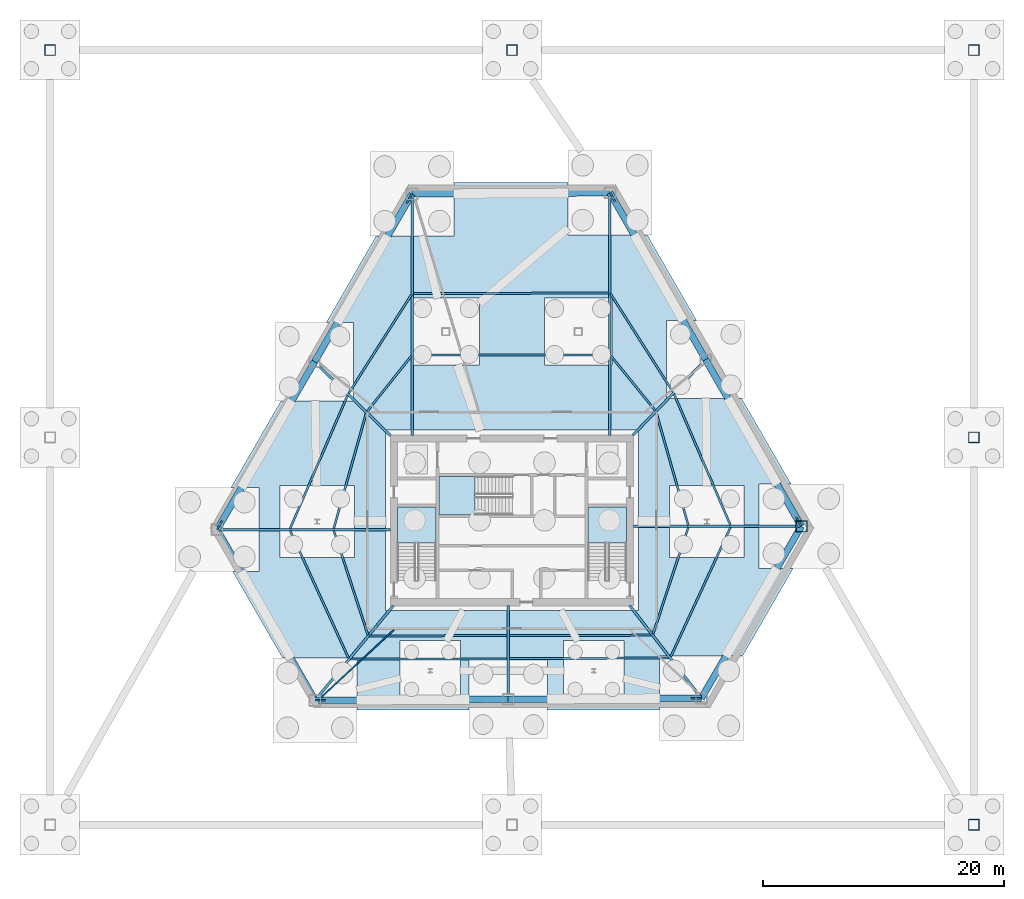
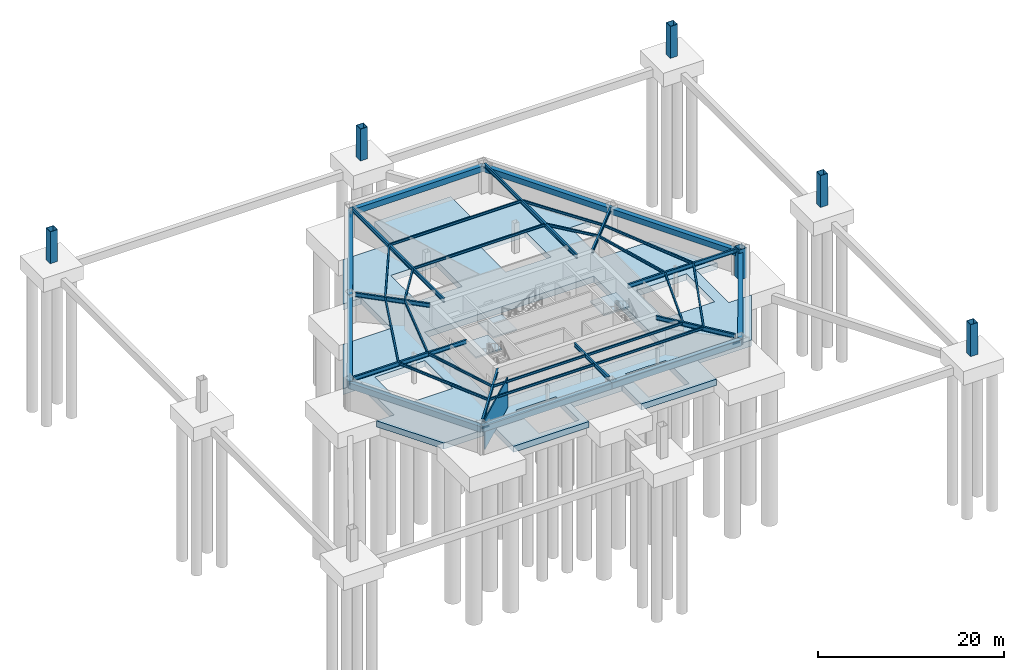
# One storey, part 7 of 11: 42 beams, 6 columns, 4 slabs, 1 wall, 3 elements without a shape of their own.
"""IFC4 building model written with IfcOpenShell, lengths in metres."""

import ifcopenshell
import ifcopenshell.guid

model = None  # the IFC model being written
_history = None  # IfcOwnerHistory: only IFC2X3 demands one
_inside = {}  # id of a spatial element -> (the spatial element, [elements in it])
_under = {}  # id of a project, library or spatial element -> (it, [spatial elements below it])
_declared = {}  # id of a project -> (the project, [libraries it declares])
_typed = {}  # id of a type object -> (the type object, [elements of that type])
_made_of = {}  # id of a material, layer set ... -> (it, [elements and type objects made of it])


def new_model(schema):
    """Start an empty IFC model of exactly this schema.

    Asked for "IFC4X3", IfcOpenShell would pick the latest addendum, in which some entities
    have other attributes; the version numbers below select the first issue.
    IFC2X3 requires an IfcOwnerHistory on every rooted entity: one is made here for all.
    """
    global model, _history
    if schema == "IFC4X3":
        model = ifcopenshell.file(schema_version=(4, 3, 0, 0))
    else:
        model = ifcopenshell.file(schema=schema)
    _inside.clear()
    _under.clear()
    _declared.clear()
    _typed.clear()
    _made_of.clear()
    _history = None
    if model.schema == "IFC2X3":
        org = make("IfcOrganization", Name="unknown")
        user = make(
            "IfcPersonAndOrganization",
            ThePerson=make("IfcPerson", FamilyName="unknown"),
            TheOrganization=org,
        )
        app = make(
            "IfcApplication",
            ApplicationDeveloper=org,
            Version="unknown",
            ApplicationFullName="unknown",
            ApplicationIdentifier="unknown",
        )
        _history = make(
            "IfcOwnerHistory",
            OwningUser=user,
            OwningApplication=app,
            ChangeAction="ADDED",
            CreationDate=0,
        )
    return model


def make(cls, **values):
    """One entity of the class cls with the attributes given. An attribute that is None is left unset."""
    return model.create_entity(
        cls, **{name: value for name, value in values.items() if value is not None}
    )


def rooted(cls, **values):
    """An entity with a GlobalId (a new one), such as an element, a storey or a relation."""
    return make(cls, GlobalId=ifcopenshell.guid.new(), OwnerHistory=_history, **values)


def si_unit(unit_type, name, prefix=None):
    """IfcSIUnit, for example si_unit("LENGTHUNIT", "METRE", prefix="MILLI")."""
    return make("IfcSIUnit", UnitType=unit_type, Prefix=prefix, Name=name)


def assignment(units):
    """IfcUnitAssignment: the units of a project."""
    return None if units is None else make("IfcUnitAssignment", Units=units)


def point(xyz):
    """IfcCartesianPoint."""
    return None if xyz is None else make("IfcCartesianPoint", Coordinates=xyz)


def direction(xyz):
    """IfcDirection."""
    return None if xyz is None else make("IfcDirection", DirectionRatios=xyz)


def frame(location, z_axis=None, x_axis=None):
    """IfcAxis2Placement3D, a coordinate frame: its origin and axes. An axis left out is left unset."""
    return make(
        "IfcAxis2Placement3D",
        Location=point(location),
        Axis=direction(z_axis),
        RefDirection=direction(x_axis),
    )


def frame_2d(location, x_axis=None):
    """IfcAxis2Placement2D, a coordinate frame in the plane: its origin and x axis."""
    return make(
        "IfcAxis2Placement2D", Location=point(location), RefDirection=direction(x_axis)
    )


def origin():
    """The frame at (0, 0, 0) with its axes left unset."""
    return frame((0.0, 0.0, 0.0))


def origin_2d():
    """The frame at (0, 0) in the plane with its x axis left unset."""
    return frame_2d((0.0, 0.0))


def place(relative_to, where):
    """IfcLocalPlacement: puts the frame where relative to a parent placement (None: the world)."""
    return make(
        "IfcLocalPlacement", PlacementRelTo=relative_to, RelativePlacement=where
    )


def context(
    kind, dimensions, precision=None, world=None, true_north=None, identifier=None
):
    """IfcGeometricRepresentationContext, for example the 3D "Model" context."""
    return make(
        "IfcGeometricRepresentationContext",
        ContextIdentifier=identifier,
        ContextType=kind,
        CoordinateSpaceDimension=dimensions,
        Precision=precision,
        WorldCoordinateSystem=world,
        TrueNorth=true_north,
    )


def subcontext(parent, identifier, kind, view, scale=None):
    """IfcGeometricRepresentationSubContext, for example "Body" below "Model"."""
    return make(
        "IfcGeometricRepresentationSubContext",
        ContextIdentifier=identifier,
        ContextType=kind,
        ParentContext=parent,
        TargetScale=scale,
        TargetView=view,
    )


def project(units=None, contexts=None):
    """IfcProject with its units and contexts."""
    return rooted(
        "IfcProject",
        Name="project",
        RepresentationContexts=contexts,
        UnitsInContext=assignment(units),
    )


def spatial(cls, under=None, at=None, **own):
    """A site, building, storey or space (cls), placed at a placement, below another one or the project."""
    s = rooted(cls, ObjectPlacement=at, **own)
    if under is not None:
        _under.setdefault(under.id(), (under, []))[1].append(s)
    return s


def polyline(points):
    """IfcPolyline through the points."""
    return make("IfcPolyline", Points=[point(p) for p in points])


def profile(cls, at=None, kind="AREA", **sizes):
    """A parametric profile (cls). Its sizes go by their IFC names, for example OverallWidth=200.0."""
    return make(cls, ProfileType=kind, Position=at, **sizes)


def rectangle(**sizes):
    """IfcRectangleProfileDef."""
    return profile("IfcRectangleProfileDef", **sizes)


def hollow_rectangle(**sizes):
    """IfcRectangleHollowProfileDef."""
    return profile("IfcRectangleHollowProfileDef", **sizes)


def i_section(**sizes):
    """IfcIShapeProfileDef."""
    return profile("IfcIShapeProfileDef", **sizes)


def outline(outer, holes=None, kind="AREA"):
    """IfcArbitraryClosedProfileDef: a profile drawn as a closed curve; with holes, ...WithVoids."""
    if holes is None:
        return make("IfcArbitraryClosedProfileDef", ProfileType=kind, OuterCurve=outer)
    return make(
        "IfcArbitraryProfileDefWithVoids",
        ProfileType=kind,
        OuterCurve=outer,
        InnerCurves=holes,
    )


def extrude(swept, where, along, depth):
    """IfcExtrudedAreaSolid: the profile swept, set in the frame where, extruded along a direction by depth."""
    return make(
        "IfcExtrudedAreaSolid",
        SweptArea=swept,
        Position=where,
        ExtrudedDirection=direction(along),
        Depth=depth,
    )


def shape(context_of_items, identifier, shape_type, items):
    """IfcShapeRepresentation: the items that make up one representation, for example the "Body"."""
    return make(
        "IfcShapeRepresentation",
        ContextOfItems=context_of_items,
        RepresentationIdentifier=identifier,
        RepresentationType=shape_type,
        Items=items,
    )


def material(Name=None, Category=None):
    """IfcMaterial."""
    return make("IfcMaterial", Name=Name, Category=Category)


def layer(
    of_material, thickness, ventilated=None, Name=None, Category=None, Priority=None
):
    """IfcMaterialLayer: one layer of a wall or slab, of a material (None: an air gap)."""
    return make(
        "IfcMaterialLayer",
        Material=of_material,
        LayerThickness=thickness,
        IsVentilated=ventilated,
        Name=Name,
        Category=Category,
        Priority=Priority,
    )


def layer_set(layers, Name=None):
    """IfcMaterialLayerSet."""
    return make("IfcMaterialLayerSet", MaterialLayers=layers, LayerSetName=Name)


def material_profile(
    of_material, cross_section, Name=None, Category=None, Priority=None
):
    """IfcMaterialProfile: a cross section and its material."""
    return make(
        "IfcMaterialProfile",
        Name=Name,
        Material=of_material,
        Profile=cross_section,
        Priority=Priority,
        Category=Category,
    )


def profile_set(profiles, Name=None, composite=None):
    """IfcMaterialProfileSet."""
    return make(
        "IfcMaterialProfileSet",
        Name=Name,
        MaterialProfiles=profiles,
        CompositeProfile=composite,
    )


def made_of(thing, what):
    """Note that an element or type object is made of a material, layer set ...; save() writes the relation."""
    if what is not None:
        _made_of.setdefault(what.id(), (what, []))[1].append(thing)
    return thing


def type_object(cls, material=None, **own):
    """A type object (cls), such as IfcWallType, which elements share."""
    return made_of(rooted(cls, **own), material)


def element(
    cls,
    number,
    at=None,
    inside=None,
    cuts=None,
    type_object=None,
    material=None,
    context=None,
    identifier="Body",
    shape_type=None,
    held_by="IfcProductDefinitionShape",
    body=None,
    shapes=None,
    **own,
):
    """One element of the class cls, such as IfcWall. Its Tag is "e" and its number.

    at: its placement. inside: the storey or other place that contains it. cuts: it is an
    opening in that element (IfcRelVoidsElement). A single representation is given by context,
    identifier, shape_type and body (its items); several are given by shapes. held_by: the class
    of the entity that holds the representations. save() writes the other relations.
    """
    e = rooted(cls, Tag="e%d" % number, ObjectPlacement=at, **own)
    if body is not None:
        shapes = [shape(context, identifier, shape_type, body)]
    if shapes is not None:
        e.Representation = make(held_by, Representations=shapes)
    if inside is not None:
        _inside.setdefault(inside.id(), (inside, []))[1].append(e)
    if cuts is not None:
        rooted(
            "IfcRelVoidsElement", RelatingBuildingElement=cuts, RelatedOpeningElement=e
        )
    if type_object is not None:
        _typed.setdefault(type_object.id(), (type_object, []))[1].append(e)
    return made_of(e, material)


def aggregate(whole, parts):
    """IfcRelAggregates: a whole, such as a stair, and the parts it consists of."""
    return rooted("IfcRelAggregates", RelatingObject=whole, RelatedObjects=parts)


def save(model, path):
    """Write the relations noted so far, then the file.

    IfcRelAggregates (storeys below a building ...), IfcRelContainedInSpatialStructure (elements
    in a storey), IfcRelDefinesByType, IfcRelAssociatesMaterial and IfcRelDeclares: one each for
    every whole, place, type object, material and project.
    """
    for whole, parts in _under.values():
        aggregate(whole, parts)
    for where, things in _inside.values():
        rooted(
            "IfcRelContainedInSpatialStructure",
            RelatedElements=things,
            RelatingStructure=where,
        )
    for kind, things in _typed.values():
        rooted("IfcRelDefinesByType", RelatedObjects=things, RelatingType=kind)
    for what, things in _made_of.values():
        rooted("IfcRelAssociatesMaterial", RelatedObjects=things, RelatingMaterial=what)
    for by, libraries in _declared.values():
        rooted("IfcRelDeclares", RelatingContext=by, RelatedDefinitions=libraries)
    model.write(path)


model = new_model("IFC4")

# Units and contexts
model_context = context("Model", 3, precision=1e-05, world=origin(), true_north=direction((0.0, 1.0)))
body_context = subcontext(model_context, "Body", "Model", "MODEL_VIEW")
ifc_project = project(units=[si_unit("LENGTHUNIT", "METRE"), si_unit("AREAUNIT", "SQUARE_METRE"), si_unit("VOLUMEUNIT", "CUBIC_METRE"), si_unit("PLANEANGLEUNIT", "RADIAN"), si_unit("MASSUNIT", "GRAM", prefix="KILO")], contexts=[model_context])

# Site, building, storey
site_placement = place(None, origin())
site = spatial("IfcSite", under=ifc_project, at=site_placement, CompositionType="ELEMENT")
building_placement = place(site_placement, origin())
building = spatial("IfcBuilding", under=site, at=building_placement, Name="Kavelnor Concourse Tower", CompositionType="ELEMENT")
storey_placement = place(building_placement, frame((0.0, 0.0, -8.39990234375)))
storey = spatial("IfcBuildingStorey", under=building, at=storey_placement, Name="B02", CompositionType="ELEMENT", Elevation=-8.39990234375)

# Columns
ifc_material_1 = material(Name="Steel Grade 350", Category="steel")
ifc_material_profile_1 = material_profile(ifc_material_1, hollow_rectangle(XDim=0.89990234375, YDim=0.89990234375, WallThickness=0.0380859375, at=origin_2d()), Name="SHS 900x900x38")
ifc_profile_set_1 = profile_set([ifc_material_profile_1], Name="Steel Grade 350")
column_type_1 = type_object("IfcColumnType", Name="COL-MEGA-900", PredefinedType="COLUMN", material=ifc_profile_set_1)
for number, where, z_axis, x_axis, name in (
    (1, (76.39990234375, -9.199951171875, 0.0), (0.0, 0.0, 1.0), (1.0, 0.0, 0.0), "B02 Plaza Support Column PLZ-SE"),
    (2, (76.39990234375, 23.0, 0.0), (0.0, 0.0, 1.0), (1.0, 0.0, 0.0), "B02 Plaza Support Column PLZ-E"),
    (3, (76.39990234375, 55.199951171875, 0.0), (0.0, 0.0, 1.0), (1.0, 0.0, 0.0), "B02 Plaza Support Column PLZ-NE"),
    (4, (38.0, 55.199951171875, 0.0), (0.0, 0.0, 1.0), (1.0, 0.0, 0.0), "B02 Plaza Support Column PLZ-N"),
    (5, (-0.39990234375, 55.199951171875, 0.0), (0.0, 0.0, 1.0), (1.0, 0.0, 0.0), "B02 Plaza Support Column PLZ-NW"),
):
    element("IfcColumn", number, at=place(storey_placement, frame(where, z_axis=z_axis, x_axis=x_axis)), inside=storey, type_object=column_type_1, Name=name, PredefinedType="COLUMN", context=body_context, shape_type="SweptSolid", body=[
        extrude(hollow_rectangle(XDim=0.89990234375, YDim=0.89990234375, WallThickness=0.0380859375, at=origin_2d()), origin(), (0.0, 0.0, 1.0), 4.179931640625),
    ])
ifc_material_profile_2 = material_profile(ifc_material_1, hollow_rectangle(XDim=0.949951171875, YDim=0.949951171875, WallThickness=0.0400390625, at=origin_2d()), Name="SHS 950x950x40")
ifc_profile_set_2 = profile_set([ifc_material_profile_2], Name="Steel Grade 350")
column_type_2 = type_object("IfcColumnType", Name="COL-MEGA-950", PredefinedType="COLUMN", material=ifc_profile_set_2)
column_placement = place(storey_placement, frame((62.05078125, 15.61328125, 0.0), z_axis=(0.0, 0.0, 1.0), x_axis=(1.0, 0.0, 0.0)))
element("IfcColumn", 6, at=column_placement, inside=storey, type_object=column_type_2, Name="B02 Perimeter Mega Column MC-V5", PredefinedType="COLUMN", context=body_context, shape_type="SweptSolid", body=[
    extrude(hollow_rectangle(XDim=0.949951171875, YDim=0.949951171875, WallThickness=0.0400390625, at=origin_2d()), origin(), (0.0, 0.0, 1.0), 3.949951171875),
])

# Beams
ifc_material_profile_3 = material_profile(ifc_material_1, i_section(OverallWidth=0.166015625, OverallDepth=0.306884765625, WebThickness=0.006591796875, FlangeThickness=0.01171875, at=origin_2d()), Name="310UB46")
ifc_profile_set_3 = profile_set([ifc_material_profile_3], Name="Steel Grade 350")
beam_type_1 = type_object("IfcBeamType", Name="BM-JOIST-310", PredefinedType="JOIST", material=ifc_profile_set_3)
beam_1_placement = place(storey_placement, frame((23.188720703125, 15.24609375, 3.79638671875), z_axis=(0.311389535049, -0.950282356703, 0.0), x_axis=(0.950282356703, 0.311389535049, 0.0)))
element("IfcBeam", 7, at=beam_1_placement, inside=storey, type_object=beam_type_1, Name="B02 Composite Floor Joist 01-1", PredefinedType="JOIST", context=body_context, shape_type="SweptSolid", body=[
    extrude(i_section(OverallWidth=0.166015625, OverallDepth=0.306884765625, WebThickness=0.006591796875, FlangeThickness=0.01171875, at=origin_2d()), origin(), (0.0, 0.0, 1.0), 9.105712890625),
])
beam_2_placement = place(storey_placement, frame((19.5576171875, 15.250244140625, 3.79638671875), z_axis=(0.416568886503, -0.909104153988, 0.0), x_axis=(0.909104153988, 0.416568886503, 0.0)))
element("IfcBeam", 8, at=beam_2_placement, inside=storey, type_object=beam_type_1, Name="B02 Composite Floor Joist 01-2", PredefinedType="JOIST", context=body_context, shape_type="SweptSolid", body=[
    extrude(i_section(OverallWidth=0.166015625, OverallDepth=0.306884765625, WebThickness=0.006591796875, FlangeThickness=0.01171875, at=origin_2d()), origin(), (0.0, 0.0, 1.0), 11.656494140625),
])
beam_3_placement = place(storey_placement, frame((26.15283203125, 6.5, 3.79638671875), z_axis=(0.999997855186, 0.002071140453, 0.0), x_axis=(-0.002071140453, 0.999997855186, 0.0)))
element("IfcBeam", 9, at=beam_3_placement, inside=storey, type_object=beam_type_1, Name="B02 Composite Floor Joist 02-1", PredefinedType="JOIST", context=body_context, shape_type="SweptSolid", body=[
    extrude(i_section(OverallWidth=0.166015625, OverallDepth=0.306884765625, WebThickness=0.006591796875, FlangeThickness=0.01171875, at=origin_2d()), origin(), (0.0, 0.0, 1.0), 11.43408203125),
])
beam_4_placement = place(storey_placement, frame((24.55224609375, 4.564453125, 3.79638671875), z_axis=(0.999996362753, 0.002697124485, 0.0), x_axis=(-0.002697124485, 0.999996362753, 0.0)))
element("IfcBeam", 10, at=beam_4_placement, inside=storey, type_object=beam_type_1, Name="B02 Composite Floor Joist 02-2", PredefinedType="JOIST", context=body_context, shape_type="SweptSolid", body=[
    extrude(i_section(OverallWidth=0.166015625, OverallDepth=0.306884765625, WebThickness=0.006591796875, FlangeThickness=0.01171875, at=origin_2d()), origin(), (0.0, 0.0, 1.0), 13.03466796875),
])
beam_5_placement = place(storey_placement, frame((37.782958984375, 6.5244140625, 3.79638671875), z_axis=(0.999995630485, 0.002956181654, 0.0), x_axis=(-0.002956181654, 0.999995630485, 0.0)))
element("IfcBeam", 11, at=beam_5_placement, inside=storey, type_object=beam_type_1, Name="B02 Composite Floor Joist 03-1", PredefinedType="JOIST", context=body_context, shape_type="SweptSolid", body=[
    extrude(i_section(OverallWidth=0.166015625, OverallDepth=0.306884765625, WebThickness=0.006591796875, FlangeThickness=0.01171875, at=origin_2d()), origin(), (0.0, 0.0, 1.0), 11.809814453125),
])
beam_6_placement = place(storey_placement, frame((37.782958984375, 4.6005859375, 3.79638671875), z_axis=(0.999986830206, 0.005132193915, 0.0), x_axis=(-0.005132193915, 0.999986830206, 0.0)))
element("IfcBeam", 12, at=beam_6_placement, inside=storey, type_object=beam_type_1, Name="B02 Composite Floor Joist 03-2", PredefinedType="JOIST", context=body_context, shape_type="SweptSolid", body=[
    extrude(i_section(OverallWidth=0.166015625, OverallDepth=0.306884765625, WebThickness=0.006591796875, FlangeThickness=0.01171875, at=origin_2d()), origin(), (0.0, 0.0, 1.0), 13.272216796875),
])
beam_7_placement = place(storey_placement, frame((49.721435546875, 6.652587890625, 3.79638671875), z_axis=(0.313756274904, 0.949503554474, 0.0), x_axis=(-0.949503554474, 0.313756274904, 0.0)))
element("IfcBeam", 13, at=beam_7_placement, inside=storey, type_object=beam_type_1, Name="B02 Composite Floor Joist 04-1", PredefinedType="JOIST", context=body_context, shape_type="SweptSolid", body=[
    extrude(i_section(OverallWidth=0.166015625, OverallDepth=0.306884765625, WebThickness=0.006591796875, FlangeThickness=0.01171875, at=origin_2d()), origin(), (0.0, 0.0, 1.0), 9.339111328125),
])
beam_8_placement = place(storey_placement, frame((51.194091796875, 4.75830078125, 3.79638671875), z_axis=(0.418880576802, 0.908041332968, 0.0), x_axis=(-0.908041332968, 0.418880576802, 0.0)))
element("IfcBeam", 14, at=beam_8_placement, inside=storey, type_object=beam_type_1, Name="B02 Composite Floor Joist 04-2", PredefinedType="JOIST", context=body_context, shape_type="SweptSolid", body=[
    extrude(i_section(OverallWidth=0.166015625, OverallDepth=0.306884765625, WebThickness=0.006591796875, FlangeThickness=0.01171875, at=origin_2d()), origin(), (0.0, 0.0, 1.0), 11.856201171875),
])
beam_9_placement = place(storey_placement, frame((52.655517578125, 15.70751953125, 3.79638671875), z_axis=(-0.273853851398, 0.961771317972, 0.0), x_axis=(-0.961771317972, -0.273853851398, 0.0)))
element("IfcBeam", 15, at=beam_9_placement, inside=storey, type_object=beam_type_1, Name="B02 Composite Floor Joist 05-1", PredefinedType="JOIST", context=body_context, shape_type="SweptSolid", body=[
    extrude(i_section(OverallWidth=0.166015625, OverallDepth=0.306884765625, WebThickness=0.006591796875, FlangeThickness=0.01171875, at=origin_2d()), origin(), (0.0, 0.0, 1.0), 9.7421875),
])
beam_10_placement = place(storey_placement, frame((56.162841796875, 15.703125, 3.79638671875), z_axis=(-0.39521166435, 0.918590082878, 0.0), x_axis=(-0.918590082878, -0.39521166435, 0.0)))
element("IfcBeam", 16, at=beam_10_placement, inside=storey, type_object=beam_type_1, Name="B02 Composite Floor Joist 05-2", PredefinedType="JOIST", context=body_context, shape_type="SweptSolid", body=[
    extrude(i_section(OverallWidth=0.166015625, OverallDepth=0.306884765625, WebThickness=0.006591796875, FlangeThickness=0.01171875, at=origin_2d()), origin(), (0.0, 0.0, 1.0), 11.875),
])
beam_11_placement = place(storey_placement, frame((49.89892578125, 25.247802734375, 3.79638671875), z_axis=(-0.630228598423, 0.776409630112, 0.0), x_axis=(-0.776409630112, -0.630228598423, 0.0)))
element("IfcBeam", 17, at=beam_11_placement, inside=storey, type_object=beam_type_1, Name="B02 Composite Floor Joist 06-1", PredefinedType="JOIST", context=body_context, shape_type="SweptSolid", body=[
    extrude(i_section(OverallWidth=0.166015625, OverallDepth=0.306884765625, WebThickness=0.006591796875, FlangeThickness=0.01171875, at=origin_2d()), origin(), (0.0, 0.0, 1.0), 5.85888671875),
])
beam_12_placement = place(storey_placement, frame((51.37841796875, 26.783935546875, 3.79638671875), z_axis=(-0.53695899009, 0.843608346901, 0.0), x_axis=(-0.843608346901, -0.53695899009, 0.0)))
element("IfcBeam", 18, at=beam_12_placement, inside=storey, type_object=beam_type_1, Name="B02 Composite Floor Joist 06-2", PredefinedType="JOIST", context=body_context, shape_type="SweptSolid", body=[
    extrude(i_section(OverallWidth=0.166015625, OverallDepth=0.306884765625, WebThickness=0.006591796875, FlangeThickness=0.01171875, at=origin_2d()), origin(), (0.0, 0.0, 1.0), 9.648681640625),
])
for number, where, z_axis, x_axis, name in (
    (19, (46.046875, 29.87255859375, 3.79638671875), (-0.999998293455, -0.001847453965, 0.0), (0.001847453965, -0.999998293455, 0.0), "B02 Composite Floor Joist 07-1"),
    (20, (46.046875, 35.005859375, 3.79638671875), (-0.999994639343, -0.003274337339, 0.0), (0.003274337339, -0.999994639343, 0.0), "B02 Composite Floor Joist 07-2"),
):
    element("IfcBeam", number, at=place(storey_placement, frame(where, z_axis=z_axis, x_axis=x_axis)), inside=storey, type_object=beam_type_1, Name=name, PredefinedType="JOIST", context=body_context, shape_type="SweptSolid", body=[
        extrude(i_section(OverallWidth=0.166015625, OverallDepth=0.306884765625, WebThickness=0.006591796875, FlangeThickness=0.01171875, at=origin_2d()), origin(), (0.0, 0.0, 1.0), 16.25439453125),
    ])
beam_13_placement = place(storey_placement, frame((29.633544921875, 29.765625, 3.79638671875), z_axis=(-0.623717898065, -0.781649527367, 0.0), x_axis=(0.781649527367, -0.623717898065, 0.0)))
element("IfcBeam", 21, at=beam_13_placement, inside=storey, type_object=beam_type_1, Name="B02 Composite Floor Joist 08-1", PredefinedType="JOIST", context=body_context, shape_type="SweptSolid", body=[
    extrude(i_section(OverallWidth=0.166015625, OverallDepth=0.306884765625, WebThickness=0.006591796875, FlangeThickness=0.01171875, at=origin_2d()), origin(), (0.0, 0.0, 1.0), 5.883544921875),
])
beam_14_placement = place(storey_placement, frame((29.64208984375, 34.86962890625, 3.79638671875), z_axis=(-0.536966474052, -0.843603583293, 0.0), x_axis=(0.843603583293, -0.536966474052, 0.0)))
element("IfcBeam", 22, at=beam_14_placement, inside=storey, type_object=beam_type_1, Name="B02 Composite Floor Joist 08-2", PredefinedType="JOIST", context=body_context, shape_type="SweptSolid", body=[
    extrude(i_section(OverallWidth=0.166015625, OverallDepth=0.306884765625, WebThickness=0.006591796875, FlangeThickness=0.01171875, at=origin_2d()), origin(), (0.0, 0.0, 1.0), 9.72314453125),
])
beam_15_placement = place(storey_placement, frame((25.876220703125, 24.995849609375, 3.79638671875), z_axis=(-0.270934178877, -0.962597875915, 0.0), x_axis=(0.962597875915, -0.270934178877, 0.0)))
element("IfcBeam", 23, at=beam_15_placement, inside=storey, type_object=beam_type_1, Name="B02 Composite Floor Joist 09-1", PredefinedType="JOIST", context=body_context, shape_type="SweptSolid", body=[
    extrude(i_section(OverallWidth=0.166015625, OverallDepth=0.306884765625, WebThickness=0.006591796875, FlangeThickness=0.01171875, at=origin_2d()), origin(), (0.0, 0.0, 1.0), 9.933837890625),
])
beam_16_placement = place(storey_placement, frame((24.329833984375, 26.494384765625, 3.79638671875), z_axis=(-0.396157757057, -0.91818246091, 0.0), x_axis=(0.91818246091, -0.396157757057, 0.0)))
element("IfcBeam", 24, at=beam_16_placement, inside=storey, type_object=beam_type_1, Name="B02 Composite Floor Joist 09-2", PredefinedType="JOIST", context=body_context, shape_type="SweptSolid", body=[
    extrude(i_section(OverallWidth=0.166015625, OverallDepth=0.306884765625, WebThickness=0.006591796875, FlangeThickness=0.01171875, at=origin_2d()), origin(), (0.0, 0.0, 1.0), 12.05126953125),
])
ifc_material_profile_4 = material_profile(ifc_material_1, i_section(OverallWidth=0.134033203125, OverallDepth=0.20703125, WebThickness=0.00634765625, FlangeThickness=0.009521484375, at=origin_2d()), Name="200UB29")
ifc_profile_set_4 = profile_set([ifc_material_profile_4], Name="Steel Grade 350")
beam_type_2 = type_object("IfcBeamType", Name="BM-LINTEL-200", PredefinedType="LINTEL", material=ifc_profile_set_4)
for number, where, z_axis, x_axis, name in (
    (25, (29.694580078125, 43.248779296875, 3.119873046875), (-0.502464100164, -0.864598073122, 0.0), (0.864598073122, -0.502464100164, 0.0), "B02 Pier Stiffener Header Lintel F0-A"),
    (26, (13.479736328125, 15.33935546875, 3.119873046875), (0.502464100164, 0.864598073122, 0.0), (-0.864598073122, 0.502464100164, 0.0), "B02 Pier Stiffener Header Lintel F0-B"),
    (27, (21.62451171875, 1.142333984375, 3.119873046875), (0.99998401611, 0.005653983129, 0.0), (-0.005653983129, 0.99998401611, 0.0), "B02 Pier Stiffener Header Lintel F1-A"),
):
    element("IfcBeam", number, at=place(storey_placement, frame(where, z_axis=z_axis, x_axis=x_axis)), inside=storey, type_object=beam_type_2, Name=name, PredefinedType="LINTEL", context=body_context, shape_type="SweptSolid", body=[
        extrude(i_section(OverallWidth=0.134033203125, OverallDepth=0.20703125, WebThickness=0.00634765625, FlangeThickness=0.009521484375, at=origin_2d()), origin(), (0.0, 0.0, 1.0), 0.949951171875),
    ])
beam_17_placement = place(storey_placement, frame((53.74560546875, 1.317626953125, 3.119873046875), z_axis=(-0.999985443618, -0.005395604912, 0.0), x_axis=(0.005395604912, -0.999985443618, 0.0)))
element("IfcBeam", 28, at=beam_17_placement, inside=storey, type_object=beam_type_2, Name="B02 Pier Stiffener Header Lintel F1-B", PredefinedType="LINTEL", context=body_context, shape_type="SweptSolid", body=[
    extrude(i_section(OverallWidth=0.134033203125, OverallDepth=0.20703125, WebThickness=0.00634765625, FlangeThickness=0.009521484375, at=origin_2d()), origin(), (0.0, 0.0, 1.0), 0.9501953125),
])
for number, where, z_axis, x_axis, name in (
    (29, (62.05078125, 15.61328125, 3.119873046875), (-0.49757753053, 0.867419506993, 0.0), (-0.867419506993, -0.49757753053, 0.0), "B02 Pier Stiffener Header Lintel F2-A"),
    (30, (46.144775390625, 43.338623046875, 3.119873046875), (0.49757753053, -0.867419506993, 0.0), (0.867419506993, 0.49757753053, 0.0), "B02 Pier Stiffener Header Lintel F2-B"),
):
    element("IfcBeam", number, at=place(storey_placement, frame(where, z_axis=z_axis, x_axis=x_axis)), inside=storey, type_object=beam_type_2, Name=name, PredefinedType="LINTEL", context=body_context, shape_type="SweptSolid", body=[
        extrude(i_section(OverallWidth=0.134033203125, OverallDepth=0.20703125, WebThickness=0.00634765625, FlangeThickness=0.009521484375, at=origin_2d()), origin(), (0.0, 0.0, 1.0), 0.949951171875),
    ])
ifc_material_profile_5 = material_profile(ifc_material_1, i_section(OverallWidth=0.208984375, OverallDepth=0.528076171875, WebThickness=0.009521484375, FlangeThickness=0.01318359375, at=origin_2d()), Name="530UB82")
ifc_profile_set_5 = profile_set([ifc_material_profile_5], Name="Steel Grade 350")
beam_type_3 = type_object("IfcBeamType", Name="BM-PRIMARY-530", PredefinedType="BEAM", material=ifc_profile_set_5)
beam_18_placement = place(storey_placement, frame((46.144775390625, 23.159912109375, 3.685791015625), z_axis=(0.0, 1.0, 0.0), x_axis=(-1.0, 0.0, 0.0)))
element("IfcBeam", 31, at=beam_18_placement, inside=storey, type_object=beam_type_3, Name="B02 Primary Floor Girder MC-V0", PredefinedType="BEAM", context=body_context, shape_type="SweptSolid", body=[
    extrude(i_section(OverallWidth=0.208984375, OverallDepth=0.528076171875, WebThickness=0.009521484375, FlangeThickness=0.01318359375, at=origin_2d()), origin(), (0.0, 0.0, 1.0), 19.74365234375),
])
beam_19_placement = place(storey_placement, frame((29.694580078125, 23.159912109375, 3.685791015625), z_axis=(0.0, 1.0, 0.0), x_axis=(-1.0, 0.0, 0.0)))
element("IfcBeam", 32, at=beam_19_placement, inside=storey, type_object=beam_type_3, Name="B02 Primary Floor Girder MC-V1", PredefinedType="BEAM", context=body_context, shape_type="SweptSolid", body=[
    extrude(i_section(OverallWidth=0.208984375, OverallDepth=0.528076171875, WebThickness=0.009521484375, FlangeThickness=0.01318359375, at=origin_2d()), origin(), (0.0, 0.0, 1.0), 19.654052734375),
])
beam_20_placement = place(storey_placement, frame((27.919921875, 15.33935546875, 3.685791015625), z_axis=(-1.0, 0.0, 0.0), x_axis=(0.0, -1.0, 0.0)))
element("IfcBeam", 33, at=beam_20_placement, inside=storey, type_object=beam_type_3, Name="B02 Primary Floor Girder MC-V2", PredefinedType="BEAM", context=body_context, shape_type="SweptSolid", body=[
    extrude(i_section(OverallWidth=0.208984375, OverallDepth=0.528076171875, WebThickness=0.009521484375, FlangeThickness=0.01318359375, at=origin_2d()), origin(), (0.0, 0.0, 1.0), 14.005126953125),
])
beam_21_placement = place(storey_placement, frame((28.147705078125, 9.03076171875, 3.685791015625), z_axis=(-0.6372836995, -0.770629279454, 0.0), x_axis=(0.770629279454, -0.6372836995, 0.0)))
element("IfcBeam", 34, at=beam_21_placement, inside=storey, type_object=beam_type_3, Name="B02 Primary Floor Girder MC-V3", PredefinedType="BEAM", context=body_context, shape_type="SweptSolid", body=[
    extrude(i_section(OverallWidth=0.208984375, OverallDepth=0.528076171875, WebThickness=0.009521484375, FlangeThickness=0.01318359375, at=origin_2d()), origin(), (0.0, 0.0, 1.0), 9.65966796875),
])
beam_22_placement = place(storey_placement, frame((47.778564453125, 9.031494140625, 3.685791015625), z_axis=(0.611849576127, -0.790974143821, 0.0), x_axis=(0.790974143821, 0.611849576127, 0.0)))
element("IfcBeam", 35, at=beam_22_placement, inside=storey, type_object=beam_type_3, Name="B02 Primary Floor Girder MC-V4", PredefinedType="BEAM", context=body_context, shape_type="SweptSolid", body=[
    extrude(i_section(OverallWidth=0.208984375, OverallDepth=0.528076171875, WebThickness=0.009521484375, FlangeThickness=0.01318359375, at=origin_2d()), origin(), (0.0, 0.0, 1.0), 9.19189453125),
])
beam_23_placement = place(storey_placement, frame((48.080078125, 15.61328125, 3.685791015625), z_axis=(1.0, 0.0, 0.0), x_axis=(0.0, 1.0, 0.0)))
element("IfcBeam", 36, at=beam_23_placement, inside=storey, type_object=beam_type_3, Name="B02 Primary Floor Girder MC-V5", PredefinedType="BEAM", context=body_context, shape_type="SweptSolid", body=[
    extrude(i_section(OverallWidth=0.208984375, OverallDepth=0.528076171875, WebThickness=0.009521484375, FlangeThickness=0.01318359375, at=origin_2d()), origin(), (0.0, 0.0, 1.0), 13.535888671875),
])
beam_24_placement = place(storey_placement, frame((27.90869140625, 23.135986328125, 3.685791015625), z_axis=(-0.716308596755, 0.697783629942, 0.0), x_axis=(-0.697783629942, -0.716308596755, 0.0)))
element("IfcBeam", 37, at=beam_24_placement, inside=storey, type_object=beam_type_3, Name="B02 Primary Floor Girder MC-F0", PredefinedType="BEAM", context=body_context, shape_type="SweptSolid", body=[
    extrude(i_section(OverallWidth=0.208984375, OverallDepth=0.528076171875, WebThickness=0.009521484375, FlangeThickness=0.01318359375, at=origin_2d()), origin(), (0.0, 0.0, 1.0), 8.23681640625),
])
beam_25_placement = place(storey_placement, frame((37.68505859375, 9.0400390625, 3.685791015625), z_axis=(0.0, -1.0, 0.0), x_axis=(1.0, 0.0, 0.0)))
element("IfcBeam", 38, at=beam_25_placement, inside=storey, type_object=beam_type_3, Name="B02 Primary Floor Girder MC-F1", PredefinedType="BEAM", context=body_context, shape_type="SweptSolid", body=[
    extrude(i_section(OverallWidth=0.208984375, OverallDepth=0.528076171875, WebThickness=0.009521484375, FlangeThickness=0.01318359375, at=origin_2d()), origin(), (0.0, 0.0, 1.0), 7.400146484375),
])
beam_26_placement = place(storey_placement, frame((48.037841796875, 23.171142578125, 3.685791015625), z_axis=(0.692982555638, 0.72095435194, 0.0), x_axis=(-0.72095435194, 0.692982555638, 0.0)))
element("IfcBeam", 39, at=beam_26_placement, inside=storey, type_object=beam_type_3, Name="B02 Primary Floor Girder MC-F2", PredefinedType="BEAM", context=body_context, shape_type="SweptSolid", body=[
    extrude(i_section(OverallWidth=0.208984375, OverallDepth=0.528076171875, WebThickness=0.009521484375, FlangeThickness=0.01318359375, at=origin_2d()), origin(), (0.0, 0.0, 1.0), 8.160888671875),
])
ifc_material_profile_6 = material_profile(ifc_material_1, hollow_rectangle(XDim=0.550048828125, YDim=0.75, WallThickness=0.034912109375, at=origin_2d()), Name="RHS 750x550x35")
ifc_profile_set_6 = profile_set([ifc_material_profile_6], Name="Steel Grade 350")
beam_type_4 = type_object("IfcBeamType", Name="BM-XFER-CHORD-750", PredefinedType="BEAM", material=ifc_profile_set_6)
beam_27_placement = place(storey_placement, frame((46.144775390625, 43.338623046875, 3.119873046875), z_axis=(-0.999985086008, -0.00546147984, 0.0), x_axis=(0.00546147984, -0.999985086008, 0.0)))
element("IfcBeam", 40, at=beam_27_placement, inside=storey, type_object=beam_type_4, Name="B02 Basement Mega-Column Perimeter Ring Beam 01", PredefinedType="BEAM", context=body_context, shape_type="SweptSolid", body=[
    extrude(hollow_rectangle(XDim=0.550048828125, YDim=0.75, WallThickness=0.034912109375, at=origin_2d()), origin(), (0.0, 0.0, 1.0), 16.450439453125),
])
for number, where, z_axis, x_axis, name in (
    (41, (29.694580078125, 43.248779296875, 3.119873046875), (-0.502355927834, -0.864660928786, 0.0), (0.864660928786, -0.502355927834, 0.0), "B02 Basement Mega-Column Perimeter Ring Beam 02"),
    (42, (21.587158203125, 29.294189453125, 3.119873046875), (-0.502349356986, -0.864664746324, 0.0), (0.864664746324, -0.502349356986, 0.0), "B02 Basement Mega-Column Perimeter Ring Beam 03"),
):
    element("IfcBeam", number, at=place(storey_placement, frame(where, z_axis=z_axis, x_axis=x_axis)), inside=storey, type_object=beam_type_4, Name=name, PredefinedType="BEAM", context=body_context, shape_type="SweptSolid", body=[
        extrude(hollow_rectangle(XDim=0.550048828125, YDim=0.75, WallThickness=0.034912109375, at=origin_2d()), origin(), (0.0, 0.0, 1.0), 16.138916015625),
    ])
beam_28_placement = place(storey_placement, frame((13.479736328125, 15.33935546875, 3.119873046875), z_axis=(0.497620889823, -0.867394633377, 0.0), x_axis=(0.867394633377, 0.497620889823, 0.0)))
element("IfcBeam", 43, at=beam_28_placement, inside=storey, type_object=beam_type_4, Name="B02 Basement Mega-Column Perimeter Ring Beam 04", PredefinedType="BEAM", context=body_context, shape_type="SweptSolid", body=[
    extrude(hollow_rectangle(XDim=0.550048828125, YDim=0.75, WallThickness=0.034912109375, at=origin_2d()), origin(), (0.0, 0.0, 1.0), 16.367431640625),
])
for number, where, z_axis, x_axis, name in (
    (44, (21.62451171875, 1.142333984375, 3.119873046875), (0.999985109522, 0.005457172782, 0.0), (-0.005457172782, 0.999985109522, 0.0), "B02 Basement Mega-Column Perimeter Ring Beam 05"),
    (45, (37.68505859375, 1.22998046875, 3.119873046875), (0.999985109522, 0.005457172782, 0.0), (-0.005457172782, 0.999985109522, 0.0), "B02 Basement Mega-Column Perimeter Ring Beam 06"),
):
    element("IfcBeam", number, at=place(storey_placement, frame(where, z_axis=z_axis, x_axis=x_axis)), inside=storey, type_object=beam_type_4, Name=name, PredefinedType="BEAM", context=body_context, shape_type="SweptSolid", body=[
        extrude(hollow_rectangle(XDim=0.550048828125, YDim=0.75, WallThickness=0.034912109375, at=origin_2d()), origin(), (0.0, 0.0, 1.0), 16.060791015625),
    ])
beam_29_placement = place(storey_placement, frame((53.74560546875, 1.317626953125, 3.119873046875), z_axis=(0.502337849363, 0.864671431873, 0.0), x_axis=(-0.864671431873, 0.502337849363, 0.0)))
element("IfcBeam", 46, at=beam_29_placement, inside=storey, type_object=beam_type_4, Name="B02 Basement Mega-Column Perimeter Ring Beam 07", PredefinedType="BEAM", context=body_context, shape_type="SweptSolid", body=[
    extrude(hollow_rectangle(XDim=0.550048828125, YDim=0.75, WallThickness=0.034912109375, at=origin_2d()), origin(), (0.0, 0.0, 1.0), 16.532958984375),
])
beam_30_placement = place(storey_placement, frame((62.05078125, 15.61328125, 3.119873046875), z_axis=(-0.497620471602, 0.867394873309, 0.0), x_axis=(-0.867394873309, -0.497620471602, 0.0)))
element("IfcBeam", 47, at=beam_30_placement, inside=storey, type_object=beam_type_4, Name="B02 Basement Mega-Column Perimeter Ring Beam 08", PredefinedType="BEAM", context=body_context, shape_type="SweptSolid", body=[
    extrude(hollow_rectangle(XDim=0.550048828125, YDim=0.75, WallThickness=0.034912109375, at=origin_2d()), origin(), (0.0, 0.0, 1.0), 15.98193359375),
])
beam_31_placement = place(storey_placement, frame((54.097900390625, 29.475830078125, 3.119873046875), z_axis=(-0.49762537117, 0.867392062431, 0.0), x_axis=(-0.867392062431, -0.49762537117, 0.0)))
element("IfcBeam", 48, at=beam_31_placement, inside=storey, type_object=beam_type_4, Name="B02 Basement Mega-Column Perimeter Ring Beam 09", PredefinedType="BEAM", context=body_context, shape_type="SweptSolid", body=[
    extrude(hollow_rectangle(XDim=0.550048828125, YDim=0.75, WallThickness=0.034912109375, at=origin_2d()), origin(), (0.0, 0.0, 1.0), 15.982177734375),
])

# Slab
ifc_material_2 = material(Name="Concrete C50/60", Category="concrete")
ifc_layer_1 = layer(ifc_material_2, 0.800048828125, Name="Concrete C50/60")
ifc_layer_set_1 = layer_set([ifc_layer_1], Name="Concrete C50/60")
slab_type_1 = type_object("IfcSlabType", Name="SLB-BASE-800", PredefinedType="BASESLAB", material=ifc_layer_set_1)
slab_1_placement = place(storey_placement, frame((0.0, 0.0, -0.800048828125)))
element("IfcSlab", 49, at=slab_1_placement, inside=storey, type_object=slab_type_1, Name="B02 Structural Base Slab 1", PredefinedType="BASESLAB", context=body_context, shape_type="SweptSolid", body=[
    extrude(outline(polyline([(53.342529296875, 32.725830078125), (50.847900390625, 32.725830078125), (50.847900390625, 26.225830078125), (57.09521484375, 26.225830078125), (61.201904296875, 19.11328125), (58.55078125, 19.11328125), (58.55078125, 12.11328125), (61.37353515625, 12.11328125), (57.161376953125, 4.817626953125), (50.24560546875, 4.817626953125), (50.24560546875, 0.35009765625), (40.93505859375, 0.35009765625), (40.93505859375, 4.47998046875), (34.43505859375, 4.47998046875), (34.43505859375, 0.35009765625), (25.12451171875, 0.35009765625), (25.12451171875, 4.642333984375), (18.939697265625, 4.642333984375), (14.78466796875, 11.83935546875), (16.979736328125, 11.83935546875), (16.979736328125, 18.83935546875), (14.639892578125, 18.83935546875), (18.7998046875, 26.044189453125), (24.837158203125, 26.044189453125), (24.837158203125, 32.544189453125), (22.552490234375, 32.544189453125), (26.712158203125, 39.748779296875), (33.194580078125, 39.748779296875), (33.194580078125, 44.185546875), (42.644775390625, 44.185546875), (42.644775390625, 39.838623046875), (49.236083984375, 39.838623046875), (53.342529296875, 32.725830078125)]), holes=[polyline([(33.699951171875, 6.10009765625), (28.699951171875, 6.10009765625), (28.699951171875, 1.10009765625), (33.699951171875, 1.10009765625), (33.699951171875, 6.10009765625)]), polyline([(24.89990234375, 13.0), (24.89990234375, 19.0), (18.699951171875, 19.0), (18.699951171875, 13.0), (24.89990234375, 13.0)]), polyline([(48.5, 23.60009765625), (27.5, 23.60009765625), (27.5, 8.60009765625), (48.5, 8.60009765625), (48.5, 23.60009765625)]), polyline([(35.300048828125, 34.60009765625), (29.699951171875, 34.60009765625), (29.699951171875, 29.0), (35.300048828125, 29.0), (35.300048828125, 34.60009765625)]), polyline([(47.300048828125, 6.10009765625), (42.300048828125, 6.10009765625), (42.300048828125, 1.10009765625), (47.300048828125, 1.10009765625), (47.300048828125, 6.10009765625)]), polyline([(57.300048828125, 13.0), (57.300048828125, 19.0), (51.10009765625, 19.0), (51.10009765625, 13.0), (57.300048828125, 13.0)]), polyline([(46.300048828125, 29.0), (46.300048828125, 34.60009765625), (40.699951171875, 34.60009765625), (40.699951171875, 29.0), (46.300048828125, 29.0)])]), origin(), (0.0, 0.0, 1.0), 0.800048828125),
])

# Stair, slab
ifc_material_3 = material(Name="Concrete C40/50", Category="concrete")
stair_type = type_object("IfcStairType", Name="STR-CORE-1500", PredefinedType="HALF_TURN_STAIR", material=ifc_material_3)
stair_1_placement = place(storey_placement, origin())
stair_1 = element("IfcStair", 50, at=stair_1_placement, inside=storey, type_object=stair_type, Name="B02 ST1", PredefinedType="HALF_TURN_STAIR")
ifc_layer_2 = layer(ifc_material_3, 0.199951171875, Name="Concrete C40/50")
ifc_layer_set_2 = layer_set([ifc_layer_2], Name="Concrete C40/50")
slab_type_2 = type_object("IfcSlabType", Name="SLB-LANDING-200", PredefinedType="LANDING", material=ifc_layer_set_2)
slab_2_placement = place(storey_placement, frame((0.0, 0.0, 1.89990234375)))
slab_2 = element("IfcSlab", 51, at=slab_2_placement, type_object=slab_type_2, Name="ST1 landing 1", PredefinedType="LANDING", context=body_context, shape_type="SweptSolid", body=[
    extrude(outline(polyline([(31.679931640625, 14.235107421875), (31.679931640625, 17.199951171875), (28.47998046875, 17.199951171875), (28.47998046875, 14.235107421875), (31.679931640625, 14.235107421875)])), origin(), (0.0, 0.0, 1.0), 0.199951171875),
])
aggregate(stair_1, [slab_2])

stair_2_placement = place(storey_placement, origin())
stair_2 = element("IfcStair", 52, at=stair_2_placement, inside=storey, type_object=stair_type, Name="B02 ST2", PredefinedType="HALF_TURN_STAIR")
slab_3_placement = place(storey_placement, frame((0.0, 0.0, 1.89990234375)))
slab_3 = element("IfcSlab", 53, at=slab_3_placement, type_object=slab_type_2, Name="ST2 landing 1", PredefinedType="LANDING", context=body_context, shape_type="SweptSolid", body=[
    extrude(outline(polyline([(47.52001953125, 14.235107421875), (47.52001953125, 17.199951171875), (44.320068359375, 17.199951171875), (44.320068359375, 14.235107421875), (47.52001953125, 14.235107421875)])), origin(), (0.0, 0.0, 1.0), 0.199951171875),
])
aggregate(stair_2, [slab_3])

stair_3_placement = place(storey_placement, origin())
stair_3 = element("IfcStair", 54, at=stair_3_placement, inside=storey, type_object=stair_type, Name="B02 ST3", PredefinedType="HALF_TURN_STAIR")
slab_4_placement = place(storey_placement, frame((0.0, 0.0, 1.89990234375)))
slab_4 = element("IfcSlab", 55, at=slab_4_placement, type_object=slab_type_2, Name="ST3 landing 1", PredefinedType="LANDING", context=body_context, shape_type="SweptSolid", body=[
    extrude(outline(polyline([(34.905029296875, 19.760009765625), (31.93994140625, 19.760009765625), (31.93994140625, 16.56005859375), (34.905029296875, 16.56005859375), (34.905029296875, 19.760009765625)])), origin(), (0.0, 0.0, 1.0), 0.199951171875),
])
aggregate(stair_3, [slab_4])

# Wall
ifc_material_4 = material(Name="Gypsum plasterboard on light-gauge steel studs", Category="steel")
ifc_layer_3 = layer(ifc_material_4, 0.125, Name="Gypsum plasterboard on light-gauge steel studs")
ifc_layer_set_3 = layer_set([ifc_layer_3], Name="Gypsum plasterboard on light-gauge steel studs")
wall_type = type_object("IfcWallType", Name="WL-INT-SUITE-125", PredefinedType="PARTITIONING", material=ifc_layer_set_3)
wall_placement = place(storey_placement, frame((28.188720703125, 7.009521484375, 0.0), z_axis=(0.0, 0.0, 1.0), x_axis=(-0.733538790589, -0.679647587137, 0.0)))
element("IfcWall", 56, at=wall_placement, inside=storey, type_object=wall_type, Name="B02 Radial Suite Partition 04", PredefinedType="PARTITIONING", context=body_context, shape_type="SweptSolid", body=[
    extrude(rectangle(XDim=8.290283203125, YDim=0.125, at=frame_2d((4.14501953125, 0.0))), origin(), (0.0, 0.0, 1.0), 3.949951171875),
])

save(model, "model.ifc")
